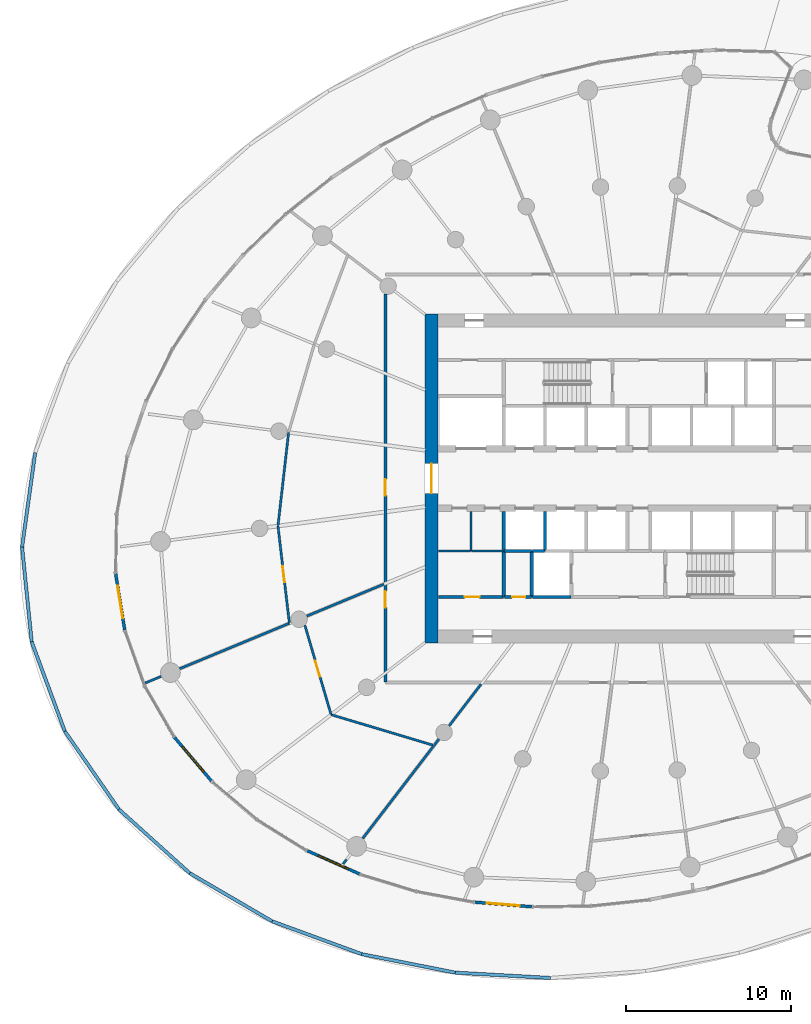
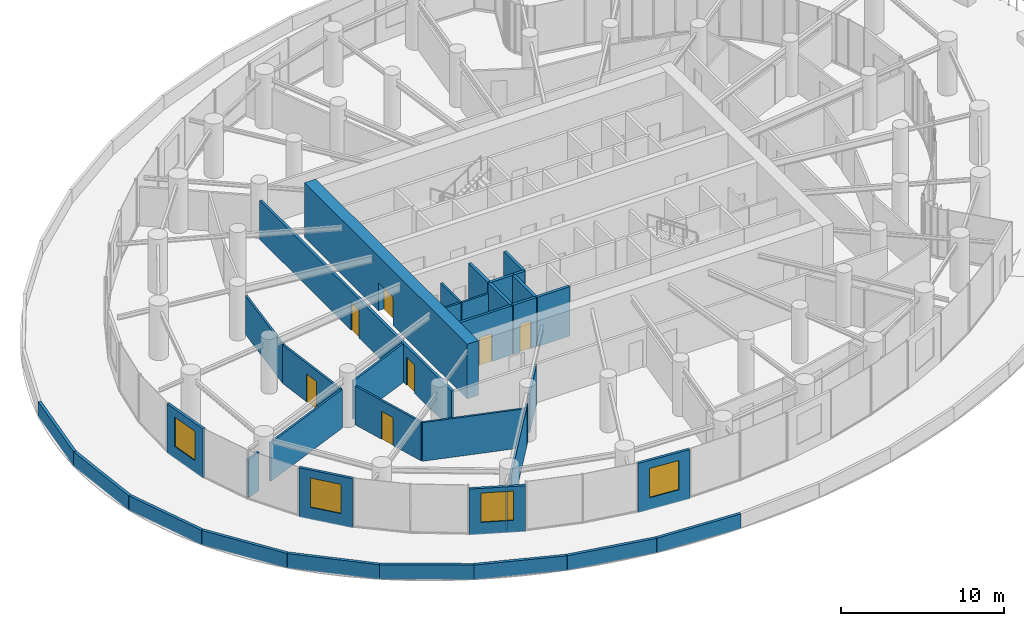
# One storey, part 14 of 24: 38 walls, 7 doors, 4 windows, 11 openings.
"""IFC4 building model written with IfcOpenShell, lengths in metres."""

import ifcopenshell
import ifcopenshell.guid

model = None  # the IFC model being written
_history = None  # IfcOwnerHistory: only IFC2X3 demands one
_inside = {}  # id of a spatial element -> (the spatial element, [elements in it])
_under = {}  # id of a project, library or spatial element -> (it, [spatial elements below it])
_declared = {}  # id of a project -> (the project, [libraries it declares])
_typed = {}  # id of a type object -> (the type object, [elements of that type])
_made_of = {}  # id of a material, layer set ... -> (it, [elements and type objects made of it])


def new_model(schema):
    """Start an empty IFC model of exactly this schema.

    Asked for "IFC4X3", IfcOpenShell would pick the latest addendum, in which some entities
    have other attributes; the version numbers below select the first issue.
    IFC2X3 requires an IfcOwnerHistory on every rooted entity: one is made here for all.
    """
    global model, _history
    if schema == "IFC4X3":
        model = ifcopenshell.file(schema_version=(4, 3, 0, 0))
    else:
        model = ifcopenshell.file(schema=schema)
    _inside.clear()
    _under.clear()
    _declared.clear()
    _typed.clear()
    _made_of.clear()
    _history = None
    if model.schema == "IFC2X3":
        org = make("IfcOrganization", Name="unknown")
        user = make(
            "IfcPersonAndOrganization",
            ThePerson=make("IfcPerson", FamilyName="unknown"),
            TheOrganization=org,
        )
        app = make(
            "IfcApplication",
            ApplicationDeveloper=org,
            Version="unknown",
            ApplicationFullName="unknown",
            ApplicationIdentifier="unknown",
        )
        _history = make(
            "IfcOwnerHistory",
            OwningUser=user,
            OwningApplication=app,
            ChangeAction="ADDED",
            CreationDate=0,
        )
    return model


def make(cls, **values):
    """One entity of the class cls with the attributes given. An attribute that is None is left unset."""
    return model.create_entity(
        cls, **{name: value for name, value in values.items() if value is not None}
    )


def rooted(cls, **values):
    """An entity with a GlobalId (a new one), such as an element, a storey or a relation."""
    return make(cls, GlobalId=ifcopenshell.guid.new(), OwnerHistory=_history, **values)


def si_unit(unit_type, name, prefix=None):
    """IfcSIUnit, for example si_unit("LENGTHUNIT", "METRE", prefix="MILLI")."""
    return make("IfcSIUnit", UnitType=unit_type, Prefix=prefix, Name=name)


def assignment(units):
    """IfcUnitAssignment: the units of a project."""
    return None if units is None else make("IfcUnitAssignment", Units=units)


def point(xyz):
    """IfcCartesianPoint."""
    return None if xyz is None else make("IfcCartesianPoint", Coordinates=xyz)


def direction(xyz):
    """IfcDirection."""
    return None if xyz is None else make("IfcDirection", DirectionRatios=xyz)


def frame(location, z_axis=None, x_axis=None):
    """IfcAxis2Placement3D, a coordinate frame: its origin and axes. An axis left out is left unset."""
    return make(
        "IfcAxis2Placement3D",
        Location=point(location),
        Axis=direction(z_axis),
        RefDirection=direction(x_axis),
    )


def frame_2d(location, x_axis=None):
    """IfcAxis2Placement2D, a coordinate frame in the plane: its origin and x axis."""
    return make(
        "IfcAxis2Placement2D", Location=point(location), RefDirection=direction(x_axis)
    )


def origin():
    """The frame at (0, 0, 0) with its axes left unset."""
    return frame((0.0, 0.0, 0.0))


def place(relative_to, where):
    """IfcLocalPlacement: puts the frame where relative to a parent placement (None: the world)."""
    return make(
        "IfcLocalPlacement", PlacementRelTo=relative_to, RelativePlacement=where
    )


def context(
    kind, dimensions, precision=None, world=None, true_north=None, identifier=None
):
    """IfcGeometricRepresentationContext, for example the 3D "Model" context."""
    return make(
        "IfcGeometricRepresentationContext",
        ContextIdentifier=identifier,
        ContextType=kind,
        CoordinateSpaceDimension=dimensions,
        Precision=precision,
        WorldCoordinateSystem=world,
        TrueNorth=true_north,
    )


def subcontext(parent, identifier, kind, view, scale=None):
    """IfcGeometricRepresentationSubContext, for example "Body" below "Model"."""
    return make(
        "IfcGeometricRepresentationSubContext",
        ContextIdentifier=identifier,
        ContextType=kind,
        ParentContext=parent,
        TargetScale=scale,
        TargetView=view,
    )


def project(units=None, contexts=None):
    """IfcProject with its units and contexts."""
    return rooted(
        "IfcProject",
        Name="project",
        RepresentationContexts=contexts,
        UnitsInContext=assignment(units),
    )


def spatial(cls, under=None, at=None, **own):
    """A site, building, storey or space (cls), placed at a placement, below another one or the project."""
    s = rooted(cls, ObjectPlacement=at, **own)
    if under is not None:
        _under.setdefault(under.id(), (under, []))[1].append(s)
    return s


def profile(cls, at=None, kind="AREA", **sizes):
    """A parametric profile (cls). Its sizes go by their IFC names, for example OverallWidth=200.0."""
    return make(cls, ProfileType=kind, Position=at, **sizes)


def rectangle(**sizes):
    """IfcRectangleProfileDef."""
    return profile("IfcRectangleProfileDef", **sizes)


def extrude(swept, where, along, depth):
    """IfcExtrudedAreaSolid: the profile swept, set in the frame where, extruded along a direction by depth."""
    return make(
        "IfcExtrudedAreaSolid",
        SweptArea=swept,
        Position=where,
        ExtrudedDirection=direction(along),
        Depth=depth,
    )


def shape(context_of_items, identifier, shape_type, items):
    """IfcShapeRepresentation: the items that make up one representation, for example the "Body"."""
    return make(
        "IfcShapeRepresentation",
        ContextOfItems=context_of_items,
        RepresentationIdentifier=identifier,
        RepresentationType=shape_type,
        Items=items,
    )


def source(mapping_origin, context_of_items, identifier, shape_type, items):
    """IfcRepresentationMap: a shape defined once, which mapped items show again and again."""
    return make(
        "IfcRepresentationMap",
        MappingOrigin=mapping_origin,
        MappedRepresentation=shape(context_of_items, identifier, shape_type, items),
    )


def transform(
    local_origin,
    x_axis=None,
    y_axis=None,
    z_axis=None,
    scale=None,
    scale2=None,
    scale3=None,
    uniform=True,
):
    """IfcCartesianTransformationOperator3D, or its non-uniform kind. x_axis, y_axis, z_axis: its Axis1, 2, 3."""
    if uniform:
        return make(
            "IfcCartesianTransformationOperator3D",
            Axis1=direction(x_axis),
            Axis2=direction(y_axis),
            LocalOrigin=point(local_origin),
            Scale=scale,
            Axis3=direction(z_axis),
        )
    return make(
        "IfcCartesianTransformationOperator3DnonUniform",
        Axis1=direction(x_axis),
        Axis2=direction(y_axis),
        LocalOrigin=point(local_origin),
        Scale=scale,
        Axis3=direction(z_axis),
        Scale2=scale2,
        Scale3=scale3,
    )


def mapped(mapping_source, mapping_target):
    """IfcMappedItem: shows the shape of a source again, moved by a transform."""
    return make(
        "IfcMappedItem", MappingSource=mapping_source, MappingTarget=mapping_target
    )


def material(Name=None, Category=None):
    """IfcMaterial."""
    return make("IfcMaterial", Name=Name, Category=Category)


def layer(
    of_material, thickness, ventilated=None, Name=None, Category=None, Priority=None
):
    """IfcMaterialLayer: one layer of a wall or slab, of a material (None: an air gap)."""
    return make(
        "IfcMaterialLayer",
        Material=of_material,
        LayerThickness=thickness,
        IsVentilated=ventilated,
        Name=Name,
        Category=Category,
        Priority=Priority,
    )


def layer_set(layers, Name=None):
    """IfcMaterialLayerSet."""
    return make("IfcMaterialLayerSet", MaterialLayers=layers, LayerSetName=Name)


def made_of(thing, what):
    """Note that an element or type object is made of a material, layer set ...; save() writes the relation."""
    if what is not None:
        _made_of.setdefault(what.id(), (what, []))[1].append(thing)
    return thing


def type_object(cls, material=None, **own):
    """A type object (cls), such as IfcWallType, which elements share."""
    return made_of(rooted(cls, **own), material)


def element(
    cls,
    number,
    at=None,
    inside=None,
    cuts=None,
    type_object=None,
    material=None,
    context=None,
    identifier="Body",
    shape_type=None,
    held_by="IfcProductDefinitionShape",
    body=None,
    shapes=None,
    **own,
):
    """One element of the class cls, such as IfcWall. Its Tag is "e" and its number.

    at: its placement. inside: the storey or other place that contains it. cuts: it is an
    opening in that element (IfcRelVoidsElement). A single representation is given by context,
    identifier, shape_type and body (its items); several are given by shapes. held_by: the class
    of the entity that holds the representations. save() writes the other relations.
    """
    e = rooted(cls, Tag="e%d" % number, ObjectPlacement=at, **own)
    if body is not None:
        shapes = [shape(context, identifier, shape_type, body)]
    if shapes is not None:
        e.Representation = make(held_by, Representations=shapes)
    if inside is not None:
        _inside.setdefault(inside.id(), (inside, []))[1].append(e)
    if cuts is not None:
        rooted(
            "IfcRelVoidsElement", RelatingBuildingElement=cuts, RelatedOpeningElement=e
        )
    if type_object is not None:
        _typed.setdefault(type_object.id(), (type_object, []))[1].append(e)
    return made_of(e, material)


def fill(opening, filler):
    """IfcRelFillsElement: the door or window that sits in an opening."""
    return rooted(
        "IfcRelFillsElement",
        RelatingOpeningElement=opening,
        RelatedBuildingElement=filler,
    )


def aggregate(whole, parts):
    """IfcRelAggregates: a whole, such as a stair, and the parts it consists of."""
    return rooted("IfcRelAggregates", RelatingObject=whole, RelatedObjects=parts)


def save(model, path):
    """Write the relations noted so far, then the file.

    IfcRelAggregates (storeys below a building ...), IfcRelContainedInSpatialStructure (elements
    in a storey), IfcRelDefinesByType, IfcRelAssociatesMaterial and IfcRelDeclares: one each for
    every whole, place, type object, material and project.
    """
    for whole, parts in _under.values():
        aggregate(whole, parts)
    for where, things in _inside.values():
        rooted(
            "IfcRelContainedInSpatialStructure",
            RelatedElements=things,
            RelatingStructure=where,
        )
    for kind, things in _typed.values():
        rooted("IfcRelDefinesByType", RelatedObjects=things, RelatingType=kind)
    for what, things in _made_of.values():
        rooted("IfcRelAssociatesMaterial", RelatedObjects=things, RelatingMaterial=what)
    for by, libraries in _declared.values():
        rooted("IfcRelDeclares", RelatingContext=by, RelatedDefinitions=libraries)
    model.write(path)


model = new_model("IFC4")

# Units and contexts
model_context = context("Model", 3, precision=1e-05, world=origin(), true_north=direction((0.0, 1.0)))
body_context = subcontext(model_context, "Body", "Model", "MODEL_VIEW")
ifc_project = project(units=[si_unit("LENGTHUNIT", "METRE"), si_unit("AREAUNIT", "SQUARE_METRE"), si_unit("VOLUMEUNIT", "CUBIC_METRE"), si_unit("PLANEANGLEUNIT", "RADIAN"), si_unit("MASSUNIT", "GRAM", prefix="KILO")], contexts=[model_context])

# Site, building, storey
site_placement = place(None, origin())
site = spatial("IfcSite", under=ifc_project, at=site_placement, CompositionType="ELEMENT")
building_placement = place(site_placement, origin())
building = spatial("IfcBuilding", under=site, at=building_placement, Name="Spindrift Exchange Tower", CompositionType="ELEMENT")
storey_placement = place(building_placement, frame((0.0, 0.0, 79.800048828125)))
storey = spatial("IfcBuildingStorey", under=building, at=storey_placement, Name="L18", CompositionType="ELEMENT", Elevation=79.800048828125)

# Walls
ifc_material_1 = material(Name="Concrete 40 MPa", Category="concrete")
ifc_layer_1 = layer(ifc_material_1, 0.199951171875)
ifc_layer_set_1 = layer_set([ifc_layer_1], Name="LEDGE PARAPET 1100")
wall_type_1 = type_object("IfcWallType", Name="LEDGE PARAPET 1100", PredefinedType="PARAPET", material=ifc_layer_set_1)
wall_1_placement = place(storey_placement, frame((46.63330078125, 17.661865234375, 0.0), z_axis=(0.0, 0.0, 1.0), x_axis=(-0.998436280302, 0.055901647355, 0.0)))
element("IfcWall", 1, at=wall_1_placement, inside=storey, type_object=wall_type_1, Name="L18 Ledge Parapet 7", PredefinedType="PARAPET", context=body_context, shape_type="SweptSolid", body=[
    extrude(rectangle(XDim=5.79541015625, YDim=0.199951171875, at=frame_2d((2.897705078125, 0.0))), origin(), (0.0, 0.0, 1.0), 1.099853515625),
])
wall_2_placement = place(storey_placement, frame((40.846923828125, 17.98583984375, 0.0), z_axis=(0.0, 0.0, 1.0), x_axis=(-0.980970888265, 0.194154877293, 0.0)))
element("IfcWall", 2, at=wall_2_placement, inside=storey, type_object=wall_type_1, Name="L18 Ledge Parapet 8", PredefinedType="PARAPET", context=body_context, shape_type="SweptSolid", body=[
    extrude(rectangle(XDim=5.79443359375, YDim=0.199951171875, at=frame_2d((2.897216796875, 0.0))), origin(), (0.0, 0.0, 1.0), 1.099853515625),
])
wall_3_placement = place(storey_placement, frame((35.162841796875, 19.11083984375, 0.0), z_axis=(0.0, 0.0, 1.0), x_axis=(-0.93897616797, 0.343982203006, 0.0)))
element("IfcWall", 3, at=wall_3_placement, inside=storey, type_object=wall_type_1, Name="L18 Ledge Parapet 9", PredefinedType="PARAPET", context=body_context, shape_type="SweptSolid", body=[
    extrude(rectangle(XDim=5.79296875, YDim=0.199951171875, at=frame_2d((2.896484375, 0.0))), origin(), (0.0, 0.0, 1.0), 1.099853515625),
])
wall_4_placement = place(storey_placement, frame((29.723388671875, 21.103515625, 0.0), z_axis=(0.0, 0.0, 1.0), x_axis=(-0.863358110141, 0.504591690037, 0.0)))
element("IfcWall", 4, at=wall_4_placement, inside=storey, type_object=wall_type_1, Name="L18 Ledge Parapet 10", PredefinedType="PARAPET", context=body_context, shape_type="SweptSolid", body=[
    extrude(rectangle(XDim=5.791015625, YDim=0.199951171875, at=frame_2d((2.8955078125, 0.0))), origin(), (0.0, 0.0, 1.0), 1.099853515625),
])
wall_5_placement = place(storey_placement, frame((24.7236328125, 24.025634765625, 0.0), z_axis=(0.0, 0.0, 1.0), x_axis=(-0.742889236772, 0.669414357396, 0.0)))
element("IfcWall", 5, at=wall_5_placement, inside=storey, type_object=wall_type_1, Name="L18 Ledge Parapet 11", PredefinedType="PARAPET", context=body_context, shape_type="SweptSolid", body=[
    extrude(rectangle(XDim=5.788330078125, YDim=0.199951171875, at=frame_2d((2.89404296875, 0.0))), origin(), (0.0, 0.0, 1.0), 1.099853515625),
])
wall_6_placement = place(storey_placement, frame((20.423583984375, 27.900390625, 0.0), z_axis=(0.0, 0.0, 1.0), x_axis=(-0.569501804729, 0.821990081698, 0.0)))
element("IfcWall", 6, at=wall_6_placement, inside=storey, type_object=wall_type_1, Name="L18 Ledge Parapet 12", PredefinedType="PARAPET", context=body_context, shape_type="SweptSolid", body=[
    extrude(rectangle(XDim=5.78515625, YDim=0.199951171875, at=frame_2d((2.892578125, 0.0))), origin(), (0.0, 0.0, 1.0), 1.099853515625),
])
wall_7_placement = place(storey_placement, frame((17.12890625, 32.65576171875, 0.0), z_axis=(0.0, 0.0, 1.0), x_axis=(-0.34753569456, 0.937666753707, 0.0)))
element("IfcWall", 7, at=wall_7_placement, inside=storey, type_object=wall_type_1, Name="L18 Ledge Parapet 13", PredefinedType="PARAPET", context=body_context, shape_type="SweptSolid", body=[
    extrude(rectangle(XDim=5.78369140625, YDim=0.199951171875, at=frame_2d((2.891845703125, 0.0))), origin(), (0.0, 0.0, 1.0), 1.099853515625),
])
wall_8_placement = place(storey_placement, frame((15.118896484375, 38.078857421875, 0.0), z_axis=(0.0, 0.0, 1.0), x_axis=(-0.100832523959, 0.994903413459, 0.0)))
element("IfcWall", 8, at=wall_8_placement, inside=storey, type_object=wall_type_1, Name="L18 Ledge Parapet 14", PredefinedType="PARAPET", context=body_context, shape_type="SweptSolid", body=[
    extrude(rectangle(XDim=5.784423828125, YDim=0.199951171875, at=frame_2d((2.89208984375, 0.0))), origin(), (0.0, 0.0, 1.0), 1.099853515625),
])
wall_9_placement = place(storey_placement, frame((14.53564453125, 43.833740234375, 0.0), z_axis=(0.0, 0.0, 1.0), x_axis=(0.137480998877, 0.990504404305, 0.0)))
element("IfcWall", 9, at=wall_9_placement, inside=storey, type_object=wall_type_1, Name="L18 Ledge Parapet 15", PredefinedType="PARAPET", context=body_context, shape_type="SweptSolid", body=[
    extrude(rectangle(XDim=5.787353515625, YDim=0.199951171875, at=frame_2d((2.8935546875, 0.0))), origin(), (0.0, 0.0, 1.0), 1.099853515625),
])

# Wall, opening, door
ifc_material_2 = material(Name="Concrete 65 MPa", Category="concrete")
ifc_layer_2 = layer(ifc_material_2, 0.800048828125)
ifc_layer_set_2 = layer_set([ifc_layer_2], Name="RC Core Wall 800 Concrete 65 MPa")
wall_type_2 = type_object("IfcWallType", Name="RC Core Wall 800 Concrete 65 MPa", PredefinedType="SHEAR", material=ifc_layer_set_2)
wall_10_placement = place(storey_placement, frame((39.39990234375, 58.0, 0.0), z_axis=(0.0, 0.0, 1.0), x_axis=(0.0, -1.0, 0.0)))
wall_10 = element("IfcWall", 10, at=wall_10_placement, inside=storey, type_object=wall_type_2, Name="Core wall W L18", PredefinedType="SHEAR", context=body_context, shape_type="SweptSolid", body=[
    extrude(rectangle(XDim=20.0, YDim=0.800048828125, at=frame_2d((10.0, 0.0))), origin(), (0.0, 0.0, 1.0), 4.099853515625),
])
opening_1_placement = place(wall_10_placement, frame((9.10009765625, 0.0, 0.0)))
opening_1 = element("IfcOpeningElement", 11, at=opening_1_placement, cuts=wall_10, Name="Opening L18-D1", PredefinedType="OPENING", context=body_context, shape_type="SweptSolid", body=[
    extrude(rectangle(XDim=1.800048828125, YDim=2.10009765625, at=frame_2d((0.89990234375, 1.050048828125))), frame((0.0, 0.409912109375, 0.0), z_axis=(0.0, -1.0, 0.0), x_axis=(1.0, 0.0, 0.0)), (0.0, 0.0, 1.0), 0.820068359375),
])
ifc_material_3 = material(Name="Timber-core fire door", Category="wood")
door_type_1 = type_object("IfcDoorType", Name="DR-LOBBY-1800", OperationType="NOTDEFINED", PredefinedType="DOOR", material=ifc_material_3)
shared_shape_1 = source(origin(), body_context, "Body", "SweptSolid", [
    extrude(rectangle(XDim=1.800048828125, YDim=2.10009765625, at=frame_2d((0.89990234375, 1.050048828125))), frame((0.0, 0.02490234375, 0.0), z_axis=(0.0, -1.0, 0.0), x_axis=(1.0, 0.0, 0.0)), (0.0, 0.0, 1.0), 0.050048828125),
])
door_1_placement = place(opening_1_placement, origin())
door_1 = element("IfcDoor", 12, at=door_1_placement, inside=storey, type_object=door_type_1, Name="L18 Lobby door 1", OperationType="SINGLE_SWING_RIGHT", OverallHeight=2.10009765625, OverallWidth=1.800048828125, PredefinedType="DOOR", context=body_context, shape_type="MappedRepresentation", body=[
    mapped(shared_shape_1, transform((0.0, 0.0, 0.0), scale=1.0)),
])
fill(opening_1, door_1)

# Wall, opening, window
ifc_material_4 = material(Name="Bronze anodised aluminium frame with fritted laminated glass spandrel", Category="aluminium")
ifc_layer_3 = layer(ifc_material_4, 0.179931640625)
ifc_layer_set_3 = layer_set([ifc_layer_3], Name="UNITISED FRAME WALL")
wall_type_3 = type_object("IfcWallType", Name="UNITISED FRAME WALL", PredefinedType="STANDARD", material=ifc_layer_set_3)
wall_11_placement = place(storey_placement, frame((20.218505859375, 42.22900390625, 0.0), z_axis=(0.0, 0.0, 1.0), x_axis=(0.15867565855, -0.987330762908, 0.0)))
wall_11 = element("IfcWall", 13, at=wall_11_placement, inside=storey, type_object=wall_type_3, Name="L18 Frame Wall 17", PredefinedType="STANDARD", context=body_context, shape_type="SweptSolid", body=[
    extrude(rectangle(XDim=3.488037109375, YDim=0.179931640625, at=frame_2d((1.744140625, 0.0))), origin(), (0.0, 0.0, 1.0), 3.699951171875),
])
opening_2_placement = place(wall_11_placement, frame((0.743896484375, 0.0, 0.89990234375)))
opening_2 = element("IfcOpeningElement", 14, at=opening_2_placement, cuts=wall_11, Name="Opening WV18-06", PredefinedType="OPENING", context=body_context, shape_type="SweptSolid", body=[
    extrude(rectangle(XDim=2.0, YDim=2.199951171875, at=frame_2d((1.0, 1.10009765625))), frame((0.0, 0.099853515625, 0.0), z_axis=(0.0, -1.0, 0.0), x_axis=(1.0, 0.0, 0.0)), (0.0, 0.0, 1.0), 0.199951171875),
])
ifc_material_5 = material(Name="Clear laminated low-iron glass in bronze frame", Category="glass")
window_type = type_object("IfcWindowType", Name="OPERABLE CLEAR VENT 2000X2200", PartitioningType="SINGLE_PANEL", PredefinedType="WINDOW", material=ifc_material_5)
shared_shape_2 = source(origin(), body_context, "Body", "SweptSolid", [
    extrude(rectangle(XDim=2.0, YDim=2.199951171875, at=frame_2d((1.0, 1.10009765625))), frame((0.0, 0.030029296875, 0.0), z_axis=(0.0, -1.0, 0.0), x_axis=(1.0, 0.0, 0.0)), (0.0, 0.0, 1.0), 0.06005859375),
])
window_1_placement = place(opening_2_placement, origin())
window_1 = element("IfcWindow", 15, at=window_1_placement, inside=storey, type_object=window_type, Name="L18 Operable Vent WV18-06", OverallHeight=2.199951171875, OverallWidth=2.0, PartitioningType="SINGLE_PANEL", PredefinedType="WINDOW", context=body_context, shape_type="MappedRepresentation", body=[
    mapped(shared_shape_2, transform((0.0, 0.0, 0.0), scale=1.0)),
])
fill(opening_2, window_1)

wall_12_placement = place(storey_placement, frame((23.789306640625, 32.283447265625, 0.0), z_axis=(0.0, 0.0, 1.0), x_axis=(0.646174369763, -0.763189808541, 0.0)))
wall_12 = element("IfcWall", 16, at=wall_12_placement, inside=storey, type_object=wall_type_3, Name="L18 Frame Wall 20", PredefinedType="STANDARD", context=body_context, shape_type="SweptSolid", body=[
    extrude(rectangle(XDim=3.488525390625, YDim=0.179931640625, at=frame_2d((1.744140625, 0.0))), origin(), (0.0, 0.0, 1.0), 3.699951171875),
])
opening_3_placement = place(wall_12_placement, frame((0.744140625, 0.0, 0.89990234375)))
opening_3 = element("IfcOpeningElement", 17, at=opening_3_placement, cuts=wall_12, Name="Opening WV18-07", PredefinedType="OPENING", context=body_context, shape_type="SweptSolid", body=[
    extrude(rectangle(XDim=2.0, YDim=2.199951171875, at=frame_2d((1.0, 1.10009765625))), frame((0.0, 0.099853515625, 0.0), z_axis=(0.0, -1.0, 0.0), x_axis=(1.0, 0.0, 0.0)), (0.0, 0.0, 1.0), 0.199951171875),
])
window_2_placement = place(opening_3_placement, origin())
window_2 = element("IfcWindow", 18, at=window_2_placement, inside=storey, type_object=window_type, Name="L18 Operable Vent WV18-07", OverallHeight=2.199951171875, OverallWidth=2.0, PartitioningType="SINGLE_PANEL", PredefinedType="WINDOW", context=body_context, shape_type="MappedRepresentation", body=[
    mapped(shared_shape_2, transform((0.0, 0.0, 0.0), scale=1.0)),
])
fill(opening_3, window_2)

wall_13_placement = place(storey_placement, frame((42.028076171875, 22.268310546875, 0.0), z_axis=(0.0, 0.0, 1.0), x_axis=(0.996755635661, -0.080487283334, 0.0)))
wall_13 = element("IfcWall", 19, at=wall_13_placement, inside=storey, type_object=wall_type_3, Name="L18 Frame Wall 26", PredefinedType="STANDARD", context=body_context, shape_type="SweptSolid", body=[
    extrude(rectangle(XDim=3.4912109375, YDim=0.179931640625, at=frame_2d((1.74560546875, 0.0))), origin(), (0.0, 0.0, 1.0), 3.699951171875),
])
opening_4_placement = place(wall_13_placement, frame((0.74560546875, 0.0, 0.89990234375)))
opening_4 = element("IfcOpeningElement", 20, at=opening_4_placement, cuts=wall_13, Name="Opening WV18-09", PredefinedType="OPENING", context=body_context, shape_type="SweptSolid", body=[
    extrude(rectangle(XDim=2.0, YDim=2.199951171875, at=frame_2d((1.0, 1.10009765625))), frame((0.0, 0.099853515625, 0.0), z_axis=(0.0, -1.0, 0.0), x_axis=(1.0, 0.0, 0.0)), (0.0, 0.0, 1.0), 0.199951171875),
])
window_3_placement = place(opening_4_placement, origin())
window_3 = element("IfcWindow", 21, at=window_3_placement, inside=storey, type_object=window_type, Name="L18 Operable Vent WV18-09", OverallHeight=2.199951171875, OverallWidth=2.0, PartitioningType="SINGLE_PANEL", PredefinedType="WINDOW", context=body_context, shape_type="MappedRepresentation", body=[
    mapped(shared_shape_2, transform((0.0, 0.0, 0.0), scale=1.0)),
])
fill(opening_4, window_3)

ifc_layer_4 = layer(ifc_material_4, 0.179931640625)
ifc_layer_set_4 = layer_set([ifc_layer_4], Name="UNITISED FRAME WALL TO BEAM SOFFIT")
wall_type_4 = type_object("IfcWallType", Name="UNITISED FRAME WALL TO BEAM SOFFIT", PredefinedType="STANDARD", material=ifc_layer_set_4)
wall_14_placement = place(storey_placement, frame((31.85009765625, 25.39501953125, 0.0), z_axis=(0.0, 0.0, 1.0), x_axis=(0.913727880344, -0.406326667451, 0.0)))
wall_14 = element("IfcWall", 22, at=wall_14_placement, inside=storey, type_object=wall_type_4, Name="L18 Frame Wall 23", PredefinedType="STANDARD", context=body_context, shape_type="SweptSolid", body=[
    extrude(rectangle(XDim=3.490234375, YDim=0.179931640625, at=frame_2d((1.7451171875, 0.0))), origin(), (0.0, 0.0, 1.0), 3.447998046875),
])
opening_5_placement = place(wall_14_placement, frame((0.7451171875, 0.0, 0.89990234375)))
opening_5 = element("IfcOpeningElement", 23, at=opening_5_placement, cuts=wall_14, Name="Opening WV18-08", PredefinedType="OPENING", context=body_context, shape_type="SweptSolid", body=[
    extrude(rectangle(XDim=2.0, YDim=2.199951171875, at=frame_2d((1.0, 1.10009765625))), frame((0.0, 0.099853515625, 0.0), z_axis=(0.0, -1.0, 0.0), x_axis=(1.0, 0.0, 0.0)), (0.0, 0.0, 1.0), 0.199951171875),
])
window_4_placement = place(opening_5_placement, origin())
window_4 = element("IfcWindow", 24, at=window_4_placement, inside=storey, type_object=window_type, Name="L18 Operable Vent WV18-08", OverallHeight=2.199951171875, OverallWidth=2.0, PartitioningType="SINGLE_PANEL", PredefinedType="WINDOW", context=body_context, shape_type="MappedRepresentation", body=[
    mapped(shared_shape_2, transform((0.0, 0.0, 0.0), scale=1.0)),
])
fill(opening_5, window_4)

# Wall, opening, door
ifc_material_6 = material(Name="Fire-rated plasterboard partition", Category="gypsum")
ifc_layer_5 = layer(ifc_material_6, 0.179931640625)
ifc_layer_set_5 = layer_set([ifc_layer_5], Name="W-CORR-180")
wall_type_5 = type_object("IfcWallType", Name="W-CORR-180", PredefinedType="PARTITIONING", material=ifc_layer_set_5)
wall_15_placement = place(storey_placement, frame((39.820068359375, 40.800048828125, 0.0), z_axis=(0.0, 0.0, 1.0), x_axis=(1.0, 0.0, 0.0)))
wall_15 = element("IfcWall", 25, at=wall_15_placement, inside=storey, type_object=wall_type_5, Name="L18 Partition wall 63", PredefinedType="PARTITIONING", context=body_context, shape_type="SweptSolid", body=[
    extrude(rectangle(XDim=3.949951171875, YDim=0.179931640625, at=frame_2d((1.97509765625, 0.0))), origin(), (0.0, 0.0, 1.0), 3.699951171875),
])
opening_6_placement = place(wall_15_placement, frame((1.60009765625, 0.0, 0.0)))
opening_6 = element("IfcOpeningElement", 26, at=opening_6_placement, cuts=wall_15, Name="Opening L18-D46", PredefinedType="OPENING", context=body_context, shape_type="SweptSolid", body=[
    extrude(rectangle(XDim=0.89990234375, YDim=2.10009765625, at=frame_2d((0.449951171875, 1.050048828125))), frame((0.0, 0.099853515625, 0.0), z_axis=(0.0, -1.0, 0.0), x_axis=(1.0, 0.0, 0.0)), (0.0, 0.0, 1.0), 0.199951171875),
])
ifc_material_7 = material(Name="Steel access door", Category="steel")
door_type_2 = type_object("IfcDoorType", Name="DR-RISER-900", OperationType="NOTDEFINED", PredefinedType="DOOR", material=ifc_material_7)
shared_shape_3 = source(origin(), body_context, "Body", "SweptSolid", [
    extrude(rectangle(XDim=0.89990234375, YDim=2.10009765625, at=frame_2d((0.449951171875, 1.050048828125))), frame((0.0, 0.02490234375, 0.0), z_axis=(0.0, -1.0, 0.0), x_axis=(1.0, 0.0, 0.0)), (0.0, 0.0, 1.0), 0.050048828125),
])
door_2_placement = place(opening_6_placement, origin())
door_2 = element("IfcDoor", 27, at=door_2_placement, inside=storey, type_object=door_type_2, Name="L18 Riser door 46", OperationType="SINGLE_SWING_LEFT", OverallHeight=2.10009765625, OverallWidth=0.89990234375, PredefinedType="DOOR", context=body_context, shape_type="MappedRepresentation", body=[
    mapped(shared_shape_3, transform((0.0, 0.0, 0.0), scale=1.0)),
])
fill(opening_6, door_2)

# Wall
ifc_layer_6 = layer(ifc_material_6, 0.139892578125)
ifc_layer_set_6 = layer_set([ifc_layer_6], Name="W-PART-140")
wall_type_6 = type_object("IfcWallType", Name="W-PART-140", PredefinedType="PARTITIONING", material=ifc_layer_set_6)
wall_16_placement = place(storey_placement, frame((33.305908203125, 33.655517578125, 0.0), z_axis=(0.0, 0.0, 1.0), x_axis=(0.958019823731, -0.286701966054, 0.0)))
element("IfcWall", 28, at=wall_16_placement, inside=storey, type_object=wall_type_6, Name="L18 Partition wall 67", PredefinedType="PARTITIONING", context=body_context, shape_type="SweptSolid", body=[
    extrude(rectangle(XDim=6.450439453125, YDim=0.139892578125, at=frame_2d((3.22509765625, 0.0))), origin(), (0.0, 0.0, 1.0), 2.89990234375),
])

# Wall, opening, door
wall_17_placement = place(storey_placement, frame((33.29736328125, 33.68408203125, 0.0), z_axis=(0.0, 0.0, 1.0), x_axis=(-0.281401194001, 0.959590208378, 0.0)))
wall_17 = element("IfcWall", 29, at=wall_17_placement, inside=storey, type_object=wall_type_6, Name="L18 Partition wall 77", PredefinedType="PARTITIONING", context=body_context, shape_type="SweptSolid", body=[
    extrude(rectangle(XDim=5.63232421875, YDim=0.139892578125, at=frame_2d((2.816162109375, 0.0))), origin(), (0.0, 0.0, 1.0), 2.89990234375),
])
opening_7_placement = place(wall_17_placement, frame((2.38232421875, 0.0, 0.0)))
opening_7 = element("IfcOpeningElement", 30, at=opening_7_placement, cuts=wall_17, Name="Opening L18-D37", PredefinedType="OPENING", context=body_context, shape_type="SweptSolid", body=[
    extrude(rectangle(XDim=1.0, YDim=2.10009765625, at=frame_2d((0.5, 1.050048828125))), frame((0.0, 0.079833984375, 0.0), z_axis=(0.0, -1.0, 0.0), x_axis=(1.0, 0.0, 0.0)), (0.0, 0.0, 1.0), 0.159912109375),
])
door_type_3 = type_object("IfcDoorType", Name="DR-ROOM-1000", OperationType="NOTDEFINED", PredefinedType="DOOR", material=ifc_material_3)
shared_shape_4 = source(origin(), body_context, "Body", "SweptSolid", [
    extrude(rectangle(XDim=1.0, YDim=2.10009765625, at=frame_2d((0.5, 1.050048828125))), frame((0.0, 0.02490234375, 0.0), z_axis=(0.0, -1.0, 0.0), x_axis=(1.0, 0.0, 0.0)), (0.0, 0.0, 1.0), 0.050048828125),
])
door_3_placement = place(opening_7_placement, origin())
door_3 = element("IfcDoor", 31, at=door_3_placement, inside=storey, type_object=door_type_3, Name="L18 Door 37", OperationType="SINGLE_SWING_RIGHT", OverallHeight=2.10009765625, OverallWidth=1.0, PredefinedType="DOOR", context=body_context, shape_type="MappedRepresentation", body=[
    mapped(shared_shape_4, transform((0.0, 0.0, 0.0), scale=1.0)),
])
fill(opening_7, door_3)

# Walls
wall_18_placement = place(storey_placement, frame((41.800048828125, 43.60009765625, 0.0), z_axis=(0.0, 0.0, 1.0), x_axis=(0.0, 1.0, 0.0)))
element("IfcWall", 32, at=wall_18_placement, inside=storey, type_object=wall_type_6, Name="L18 Partition wall 101", PredefinedType="PARTITIONING", context=body_context, shape_type="SweptSolid", body=[
    extrude(rectangle(XDim=2.389892578125, YDim=0.139892578125, at=frame_2d((1.19482421875, 0.0))), origin(), (0.0, 0.0, 1.0), 2.89990234375),
])
wall_19_placement = place(storey_placement, frame((43.77001953125, 43.60009765625, 0.0), z_axis=(0.0, 0.0, 1.0), x_axis=(-1.0, 0.0, 0.0)))
element("IfcWall", 33, at=wall_19_placement, inside=storey, type_object=wall_type_6, Name="L18 Partition wall 106", PredefinedType="PARTITIONING", context=body_context, shape_type="SweptSolid", body=[
    extrude(rectangle(XDim=1.93994140625, YDim=0.139892578125, at=frame_2d((0.969970703125, 0.0))), origin(), (0.0, 0.0, 1.0), 2.89990234375),
])
wall_20_placement = place(storey_placement, frame((41.77001953125, 43.60009765625, 0.0), z_axis=(0.0, 0.0, 1.0), x_axis=(-1.0, 0.0, 0.0)))
element("IfcWall", 34, at=wall_20_placement, inside=storey, type_object=wall_type_6, Name="L18 Partition wall 109", PredefinedType="PARTITIONING", context=body_context, shape_type="SweptSolid", body=[
    extrude(rectangle(XDim=1.949951171875, YDim=0.139892578125, at=frame_2d((0.97509765625, 0.0))), origin(), (0.0, 0.0, 1.0), 2.89990234375),
])
ifc_layer_7 = layer(ifc_material_6, 0.139892578125)
ifc_layer_set_7 = layer_set([ifc_layer_7], Name="W-PLANT-140")
wall_type_7 = type_object("IfcWallType", Name="W-PLANT-140", PredefinedType="PARTITIONING", material=ifc_layer_set_7)
wall_21_placement = place(storey_placement, frame((30.772705078125, 39.20751953125, 0.0), z_axis=(0.0, 0.0, 1.0), x_axis=(-0.923868434379, -0.382710224528, 0.0)))
element("IfcWall", 35, at=wall_21_placement, inside=storey, type_object=wall_type_7, Name="L18 Partition wall 65", PredefinedType="PARTITIONING", context=body_context, shape_type="SweptSolid", body=[
    extrude(rectangle(XDim=7.21875, YDim=0.139892578125, at=frame_2d((3.609375, 0.0))), origin(), (0.0, 0.0, 1.0), 2.89990234375),
])
wall_22_placement = place(storey_placement, frame((39.5576171875, 31.78466796875, 0.0), z_axis=(0.0, 0.0, 1.0), x_axis=(-0.608756067586, -0.793357454226, 0.0)))
element("IfcWall", 36, at=wall_22_placement, inside=storey, type_object=wall_type_7, Name="L18 Partition wall 66", PredefinedType="PARTITIONING", context=body_context, shape_type="SweptSolid", body=[
    extrude(rectangle(XDim=7.121826171875, YDim=0.139892578125, at=frame_2d((3.56103515625, 0.0))), origin(), (0.0, 0.0, 1.0), 2.89990234375),
])

# Wall, opening, door
wall_23_placement = place(storey_placement, frame((30.769287109375, 39.237060546875, 0.0), z_axis=(0.0, 0.0, 1.0), x_axis=(-0.116719162139, 0.993164959707, 0.0)))
wall_23 = element("IfcWall", 37, at=wall_23_placement, inside=storey, type_object=wall_type_7, Name="L18 Partition wall 71", PredefinedType="PARTITIONING", context=body_context, shape_type="SweptSolid", body=[
    extrude(rectangle(XDim=5.91748046875, YDim=0.139892578125, at=frame_2d((2.958740234375, 0.0))), origin(), (0.0, 0.0, 1.0), 2.89990234375),
])
opening_8_placement = place(wall_23_placement, frame((2.46728515625, 0.0, 0.0)))
opening_8 = element("IfcOpeningElement", 38, at=opening_8_placement, cuts=wall_23, Name="Opening L18-D35", PredefinedType="OPENING", context=body_context, shape_type="SweptSolid", body=[
    extrude(rectangle(XDim=1.0, YDim=2.10009765625, at=frame_2d((0.5, 1.050048828125))), frame((0.0, 0.079833984375, 0.0), z_axis=(0.0, -1.0, 0.0), x_axis=(1.0, 0.0, 0.0)), (0.0, 0.0, 1.0), 0.159912109375),
])
door_4_placement = place(opening_8_placement, origin())
door_4 = element("IfcDoor", 39, at=door_4_placement, inside=storey, type_object=door_type_3, Name="L18 Door 35", OperationType="SINGLE_SWING_RIGHT", OverallHeight=2.10009765625, OverallWidth=1.0, PredefinedType="DOOR", context=body_context, shape_type="MappedRepresentation", body=[
    mapped(shared_shape_4, transform((0.0, 0.0, 0.0), scale=1.0)),
])
fill(opening_8, door_4)

# Walls
wall_24_placement = place(storey_placement, frame((30.724609375, 50.801025390625, 0.0), z_axis=(0.0, 0.0, 1.0), x_axis=(-0.112859657813, -0.993610938767, 0.0)))
element("IfcWall", 40, at=wall_24_placement, inside=storey, type_object=wall_type_7, Name="L18 Partition wall 75", PredefinedType="PARTITIONING", context=body_context, shape_type="SweptSolid", body=[
    extrude(rectangle(XDim=5.693603515625, YDim=0.139892578125, at=frame_2d((2.8466796875, 0.0))), origin(), (0.0, 0.0, 1.0), 2.89990234375),
])
wall_25_placement = place(storey_placement, frame((36.510009765625, 41.583740234375, 0.0), z_axis=(0.0, 0.0, 1.0), x_axis=(-0.923890025086, -0.382658100067, 0.0)))
element("IfcWall", 41, at=wall_25_placement, inside=storey, type_object=wall_type_7, Name="L18 Partition wall 82", PredefinedType="PARTITIONING", context=body_context, shape_type="SweptSolid", body=[
    extrude(rectangle(XDim=5.068359375, YDim=0.139892578125, at=frame_2d((2.5341796875, 0.0))), origin(), (0.0, 0.0, 1.0), 2.89990234375),
])
wall_26_placement = place(storey_placement, frame((42.416015625, 35.510009765625, 0.0), z_axis=(0.0, 0.0, 1.0), x_axis=(-0.60874605662, -0.793365135703, 0.0)))
element("IfcWall", 42, at=wall_26_placement, inside=storey, type_object=wall_type_7, Name="L18 Partition wall 97", PredefinedType="PARTITIONING", context=body_context, shape_type="SweptSolid", body=[
    extrude(rectangle(XDim=3.193603515625, YDim=0.139892578125, at=frame_2d((1.5966796875, 0.0))), origin(), (0.0, 0.0, 1.0), 2.89990234375),
])
wall_27_placement = place(storey_placement, frame((22.985595703125, 35.981689453125, 0.0), z_axis=(0.0, 0.0, 1.0), x_axis=(-0.923884060829, -0.382672499857, 0.0)))
element("IfcWall", 43, at=wall_27_placement, inside=storey, type_object=wall_type_7, Name="L18 Partition wall 117", PredefinedType="PARTITIONING", context=body_context, shape_type="SweptSolid", body=[
    extrude(rectangle(XDim=1.05322265625, YDim=0.139892578125, at=frame_2d((0.526611328125, 0.0))), origin(), (0.0, 0.0, 1.0), 2.89990234375),
])
wall_28_placement = place(storey_placement, frame((34.242919921875, 24.8583984375, 0.0), z_axis=(0.0, 0.0, 1.0), x_axis=(-0.609050290179, -0.793131605746, 0.0)))
element("IfcWall", 44, at=wall_28_placement, inside=storey, type_object=wall_type_7, Name="L18 Partition wall 119", PredefinedType="PARTITIONING", context=body_context, shape_type="SweptSolid", body=[
    extrude(rectangle(XDim=0.339599609375, YDim=0.139892578125, at=frame_2d((0.169921875, 0.0))), origin(), (0.0, 0.0, 1.0), 2.89990234375),
])
wall_29_placement = place(storey_placement, frame((39.85791015625, 32.176025390625, 0.0), z_axis=(0.0, 0.0, 1.0), x_axis=(-0.608895872942, -0.793250159732, 0.0)))
element("IfcWall", 45, at=wall_29_placement, inside=storey, type_object=wall_type_7, Name="L18 Partition wall 127", PredefinedType="PARTITIONING", context=body_context, shape_type="SweptSolid", body=[
    extrude(rectangle(XDim=0.463623046875, YDim=0.139892578125, at=frame_2d((0.23193359375, 0.0))), origin(), (0.0, 0.0, 1.0), 2.89990234375),
])

# Wall, openings, doors
ifc_layer_8 = layer(ifc_material_6, 0.179931640625)
ifc_layer_set_8 = layer_set([ifc_layer_8], Name="W-PLANT-180")
wall_type_8 = type_object("IfcWallType", Name="W-PLANT-180", PredefinedType="PARTITIONING", material=ifc_layer_set_8)
wall_30_placement = place(storey_placement, frame((36.60009765625, 35.6298828125, 0.0), z_axis=(0.0, 0.0, 1.0), x_axis=(0.0, 1.0, 0.0)))
wall_30 = element("IfcWall", 46, at=wall_30_placement, inside=storey, type_object=wall_type_8, Name="L18 Partition wall 60", PredefinedType="PARTITIONING", context=body_context, shape_type="SweptSolid", body=[
    extrude(rectangle(XDim=23.58251953125, YDim=0.179931640625, at=frame_2d((11.791259765625, 0.0))), origin(), (0.0, 0.0, 1.0), 2.89990234375),
])
opening_9_placement = place(wall_30_placement, frame((11.33251953125, 0.0, 0.0)))
opening_9 = element("IfcOpeningElement", 47, at=opening_9_placement, cuts=wall_30, Name="Opening L18-D34", PredefinedType="OPENING", context=body_context, shape_type="SweptSolid", body=[
    extrude(rectangle(XDim=1.0, YDim=2.10009765625, at=frame_2d((0.5, 1.050048828125))), frame((0.0, 0.099853515625, 0.0), z_axis=(0.0, -1.0, 0.0), x_axis=(1.0, 0.0, 0.0)), (0.0, 0.0, 1.0), 0.199951171875),
])
opening_10_placement = place(wall_30_placement, frame((4.532470703125, 0.0, 0.0)))
opening_10 = element("IfcOpeningElement", 48, at=opening_10_placement, cuts=wall_30, Name="Opening L18-D36", PredefinedType="OPENING", context=body_context, shape_type="SweptSolid", body=[
    extrude(rectangle(XDim=1.0, YDim=2.10009765625, at=frame_2d((0.5, 1.050048828125))), frame((0.0, 0.099853515625, 0.0), z_axis=(0.0, -1.0, 0.0), x_axis=(1.0, 0.0, 0.0)), (0.0, 0.0, 1.0), 0.199951171875),
])
door_5_placement = place(opening_9_placement, origin())
door_5 = element("IfcDoor", 49, at=door_5_placement, inside=storey, type_object=door_type_3, Name="L18 Door 34", OperationType="SINGLE_SWING_LEFT", OverallHeight=2.10009765625, OverallWidth=1.0, PredefinedType="DOOR", context=body_context, shape_type="MappedRepresentation", body=[
    mapped(shared_shape_4, transform((0.0, 0.0, 0.0), scale=1.0)),
])
fill(opening_9, door_5)
door_6_placement = place(opening_10_placement, origin())
door_6 = element("IfcDoor", 50, at=door_6_placement, inside=storey, type_object=door_type_3, Name="L18 Door 36", OperationType="SINGLE_SWING_LEFT", OverallHeight=2.10009765625, OverallWidth=1.0, PredefinedType="DOOR", context=body_context, shape_type="MappedRepresentation", body=[
    mapped(shared_shape_4, transform((0.0, 0.0, 0.0), scale=1.0)),
])
fill(opening_10, door_6)

# Walls
ifc_layer_9 = layer(ifc_material_1, 0.199951171875)
ifc_layer_set_9 = layer_set([ifc_layer_9], Name="W-SHAFT-200")
wall_type_9 = type_object("IfcWallType", Name="W-SHAFT-200", PredefinedType="SOLIDWALL", material=ifc_layer_set_9)
for number, where, z_axis, x_axis, name in (
    (51, (43.800048828125, 43.60009765625, 0.0), (0.0, 0.0, 1.0), (0.0, -1.0, 0.0), "L18 Shaft wall 6"),
    (52, (45.5, 43.60009765625, 0.0), (0.0, 0.0, 1.0), (0.0, -1.0, 0.0), "L18 Shaft wall 7"),
):
    element("IfcWall", number, at=place(storey_placement, frame(where, z_axis=z_axis, x_axis=x_axis)), inside=storey, type_object=wall_type_9, Name=name, PredefinedType="SOLIDWALL", context=body_context, shape_type="SweptSolid", body=[
        extrude(rectangle(XDim=2.800048828125, YDim=0.199951171875, at=frame_2d((1.39990234375, 0.0))), origin(), (0.0, 0.0, 1.0), 3.699951171875),
    ])
wall_31_placement = place(storey_placement, frame((45.530029296875, 40.800048828125, 0.0), z_axis=(0.0, 0.0, 1.0), x_axis=(1.0, 0.0, 0.0)))
element("IfcWall", 53, at=wall_31_placement, inside=storey, type_object=wall_type_9, Name="L18 Shaft wall 21", PredefinedType="SOLIDWALL", context=body_context, shape_type="SweptSolid", body=[
    extrude(rectangle(XDim=2.340087890625, YDim=0.199951171875, at=frame_2d((1.169921875, 0.0))), origin(), (0.0, 0.0, 1.0), 3.699951171875),
])
wall_32_placement = place(storey_placement, frame((43.800048828125, 45.989990234375, 0.0), z_axis=(0.0, 0.0, 1.0), x_axis=(0.0, -1.0, 0.0)))
element("IfcWall", 54, at=wall_32_placement, inside=storey, type_object=wall_type_9, Name="L18 Shaft wall 23", PredefinedType="SOLIDWALL", context=body_context, shape_type="SweptSolid", body=[
    extrude(rectangle(XDim=2.360107421875, YDim=0.199951171875, at=frame_2d((1.18017578125, 0.0))), origin(), (0.0, 0.0, 1.0), 3.699951171875),
])
wall_33_placement = place(storey_placement, frame((46.300048828125, 43.60009765625, 0.0), z_axis=(0.0, 0.0, 1.0), x_axis=(0.0, 1.0, 0.0)))
element("IfcWall", 55, at=wall_33_placement, inside=storey, type_object=wall_type_9, Name="L18 Shaft wall 25", PredefinedType="SOLIDWALL", context=body_context, shape_type="SweptSolid", body=[
    extrude(rectangle(XDim=2.389892578125, YDim=0.199951171875, at=frame_2d((1.19482421875, 0.0))), origin(), (0.0, 0.0, 1.0), 3.699951171875),
])
wall_34_placement = place(storey_placement, frame((43.830078125, 43.60009765625, 0.0), z_axis=(0.0, 0.0, 1.0), x_axis=(1.0, 0.0, 0.0)))
element("IfcWall", 56, at=wall_34_placement, inside=storey, type_object=wall_type_9, Name="L18 Shaft wall 40", PredefinedType="SOLIDWALL", context=body_context, shape_type="SweptSolid", body=[
    extrude(rectangle(XDim=1.639892578125, YDim=0.199951171875, at=frame_2d((0.81982421875, 0.0))), origin(), (0.0, 0.0, 1.0), 3.699951171875),
])

# Wall, opening, door
wall_35_placement = place(storey_placement, frame((43.830078125, 40.800048828125, 0.0), z_axis=(0.0, 0.0, 1.0), x_axis=(1.0, 0.0, 0.0)))
wall_35 = element("IfcWall", 57, at=wall_35_placement, inside=storey, type_object=wall_type_9, Name="L18 Shaft wall 41", PredefinedType="SOLIDWALL", context=body_context, shape_type="SweptSolid", body=[
    extrude(rectangle(XDim=1.639892578125, YDim=0.199951171875, at=frame_2d((0.81982421875, 0.0))), origin(), (0.0, 0.0, 1.0), 3.699951171875),
])
opening_11_placement = place(wall_35_placement, frame((0.469970703125, 0.0, 0.0)))
opening_11 = element("IfcOpeningElement", 58, at=opening_11_placement, cuts=wall_35, Name="Opening L18-D19", PredefinedType="OPENING", context=body_context, shape_type="SweptSolid", body=[
    extrude(rectangle(XDim=0.800048828125, YDim=2.10009765625, at=frame_2d((0.39990234375, 1.050048828125))), frame((0.0, 0.10986328125, 0.0), z_axis=(0.0, -1.0, 0.0), x_axis=(1.0, 0.0, 0.0)), (0.0, 0.0, 1.0), 0.219970703125),
])
door_type_4 = type_object("IfcDoorType", Name="DR-RISER-800", OperationType="NOTDEFINED", PredefinedType="DOOR", material=ifc_material_7)
shared_shape_5 = source(origin(), body_context, "Body", "SweptSolid", [
    extrude(rectangle(XDim=0.800048828125, YDim=2.10009765625, at=frame_2d((0.39990234375, 1.050048828125))), frame((0.0, 0.02490234375, 0.0), z_axis=(0.0, -1.0, 0.0), x_axis=(1.0, 0.0, 0.0)), (0.0, 0.0, 1.0), 0.050048828125),
])
door_7_placement = place(opening_11_placement, origin())
door_7 = element("IfcDoor", 59, at=door_7_placement, inside=storey, type_object=door_type_4, Name="L18 Riser door 19", OperationType="SINGLE_SWING_RIGHT", OverallHeight=2.10009765625, OverallWidth=0.800048828125, PredefinedType="DOOR", context=body_context, shape_type="MappedRepresentation", body=[
    mapped(shared_shape_5, transform((0.0, 0.0, 0.0), scale=1.0)),
])
fill(opening_11, door_7)

# Wall
wall_36_placement = place(storey_placement, frame((45.530029296875, 43.60009765625, 0.0), z_axis=(0.0, 0.0, 1.0), x_axis=(1.0, 0.0, 0.0)))
element("IfcWall", 60, at=wall_36_placement, inside=storey, type_object=wall_type_9, Name="L18 Shaft wall 54", PredefinedType="SOLIDWALL", context=body_context, shape_type="SweptSolid", body=[
    extrude(rectangle(XDim=0.739990234375, YDim=0.199951171875, at=frame_2d((0.3701171875, 0.0))), origin(), (0.0, 0.0, 1.0), 3.699951171875),
])

save(model, "model.ifc")
